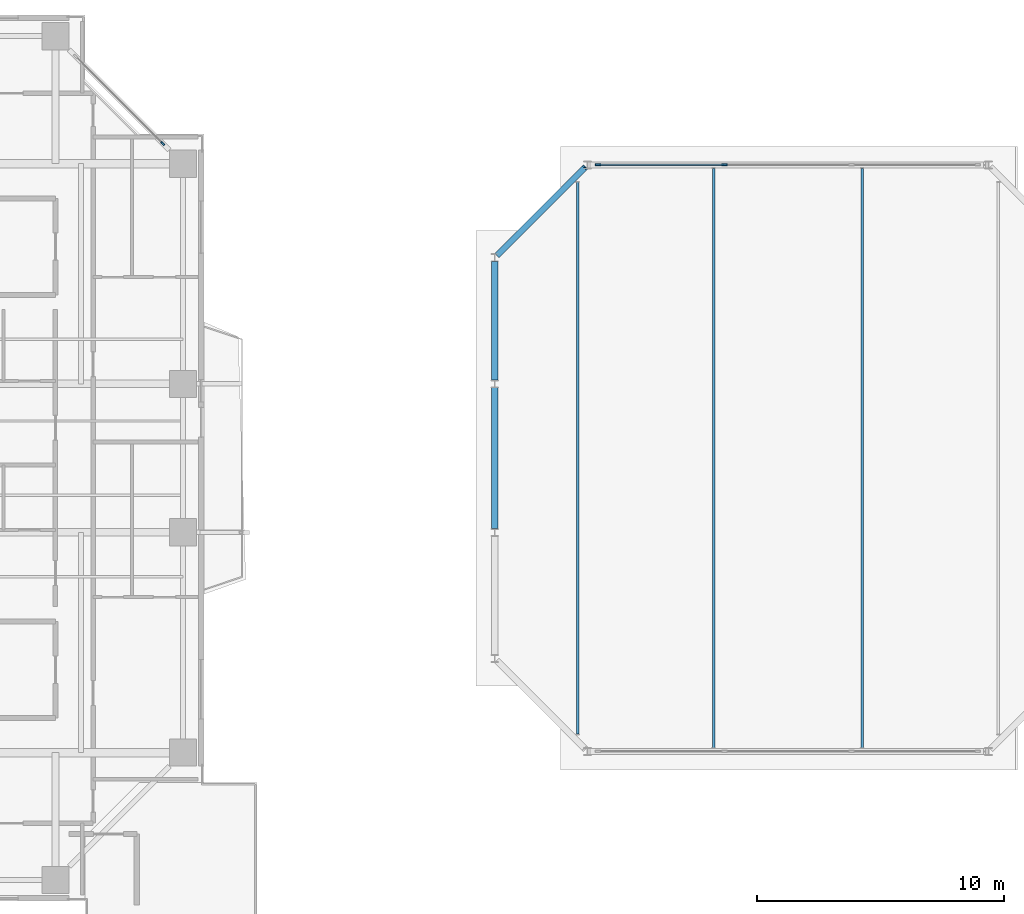
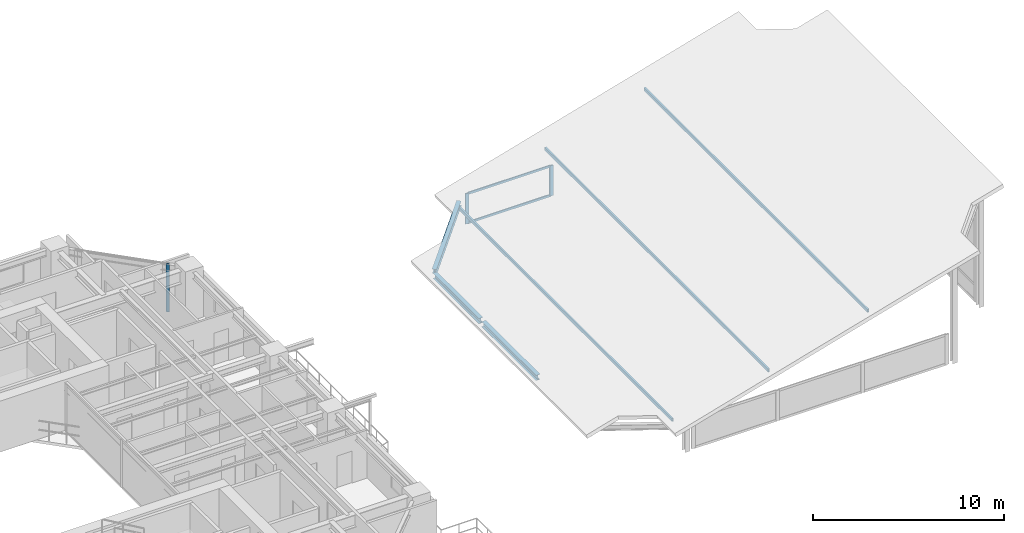
# One storey, part 12 of 28: 8 members, 3 beams, 2 elements without a shape of their own.
"""IFC4 building model written with IfcOpenShell, lengths in metres."""

from ifc_helpers import new_model, si_unit, direction, frame, origin, origin_2d, place, context, subcontext, project, spatial, rectangle, hollow_rectangle, i_section, extrude, source, transform, mapped, material, layer, layer_set, material_profile, profile_set, type_object, element, aggregate, save


model = new_model("IFC4")

# Units and contexts
model_context = context("Model", 3, precision=1e-05, world=origin(), true_north=direction((0.0, 1.0)))
body_context = subcontext(model_context, "Body", "Model", "MODEL_VIEW")
ifc_project = project(units=[si_unit("LENGTHUNIT", "METRE"), si_unit("AREAUNIT", "SQUARE_METRE"), si_unit("VOLUMEUNIT", "CUBIC_METRE"), si_unit("PLANEANGLEUNIT", "RADIAN"), si_unit("MASSUNIT", "GRAM", prefix="KILO"), si_unit("THERMODYNAMICTEMPERATUREUNIT", "KELVIN"), si_unit("POWERUNIT", "WATT")], contexts=[model_context])

# Site, building, storey
site_placement = place(None, origin())
site = spatial("IfcSite", under=ifc_project, at=site_placement, CompositionType="ELEMENT")
building_placement = place(site_placement, origin())
building = spatial("IfcBuilding", under=site, at=building_placement, Name="Qiaomeng Ring Towers", CompositionType="ELEMENT")
storey_placement = place(building_placement, frame((0.0, 0.0, 113.25)))
storey = spatial("IfcBuildingStorey", under=building, at=storey_placement, Name="L32", CompositionType="ELEMENT", Elevation=113.25)

# Beams
ifc_material_1 = material(Name="Steel Q355B", Category="steel")
ifc_material_profile_1 = material_profile(ifc_material_1, i_section(OverallWidth=0.25, OverallDepth=0.340087890625, WebThickness=0.009033203125, FlangeThickness=0.013916015625, FilletRadius=0.02001953125, at=origin_2d()), Name="HM 340x250x9x14")
ifc_profile_set_1 = profile_set([ifc_material_profile_1], Name="Steel Q355B")
beam_type = type_object("IfcBeamType", Name="STR-BM-HM340", PredefinedType="SPANDREL", material=ifc_profile_set_1)
shared_shape_1 = source(origin(), body_context, "Body", "SweptSolid", [
    extrude(i_section(OverallWidth=0.25, OverallDepth=0.340087890625, WebThickness=0.009033203125, FlangeThickness=0.013916015625, FilletRadius=0.02001953125, at=origin_2d()), origin(), (0.0, 0.0, 1.0), 5.10498046875),
])
beam_1_placement = place(storey_placement, frame((52.2939453125, 34.743896484375, 1.56982421875), z_axis=(-0.693006531025, -0.693006531025, -0.198705550784), x_axis=(0.707106781187, -0.707106781187, 0.0)))
element("IfcBeam", 1, at=beam_1_placement, inside=storey, type_object=beam_type, Name="Companion Crown Cap Beam 6", PredefinedType="SPANDREL", context=body_context, shape_type="MappedRepresentation", body=[
    mapped(shared_shape_1, transform((0.0, 0.0, 0.0), x_axis=(1.0, 0.0, 0.0), y_axis=(0.0, 1.0, 0.0), z_axis=(0.0, 0.0, 1.0), scale=1.0)),
])
shared_shape_2 = source(origin(), body_context, "Body", "SweptSolid", [
    extrude(i_section(OverallWidth=0.25, OverallDepth=0.340087890625, WebThickness=0.009033203125, FlangeThickness=0.013916015625, FilletRadius=0.02001953125, at=origin_2d()), origin(), (0.0, 0.0, 1.0), 4.800048828125),
])
beam_2_placement = place(storey_placement, frame((48.64990234375, 30.949951171875, 0.525146484375), z_axis=(0.0, -1.0, 0.0), x_axis=(1.0, 0.0, 0.0)))
element("IfcBeam", 2, at=beam_2_placement, inside=storey, type_object=beam_type, Name="Companion Crown Cap Beam 7", PredefinedType="SPANDREL", context=body_context, shape_type="MappedRepresentation", body=[
    mapped(shared_shape_2, transform((0.0, 0.0, 0.0), x_axis=(1.0, 0.0, 0.0), y_axis=(0.0, 1.0, 0.0), z_axis=(0.0, 0.0, 1.0), scale=1.0)),
])
shared_shape_3 = source(origin(), body_context, "Body", "SweptSolid", [
    extrude(i_section(OverallWidth=0.25, OverallDepth=0.340087890625, WebThickness=0.009033203125, FlangeThickness=0.013916015625, FilletRadius=0.02001953125, at=origin_2d()), origin(), (0.0, 0.0, 1.0), 5.7001953125),
])
beam_3_placement = place(storey_placement, frame((48.64990234375, 25.85009765625, 0.525146484375), z_axis=(0.0, -1.0, 0.0), x_axis=(1.0, 0.0, 0.0)))
element("IfcBeam", 3, at=beam_3_placement, inside=storey, type_object=beam_type, Name="Companion Crown Cap Beam 8", PredefinedType="SPANDREL", context=body_context, shape_type="MappedRepresentation", body=[
    mapped(shared_shape_3, transform((0.0, 0.0, 0.0), x_axis=(1.0, 0.0, 0.0), y_axis=(0.0, 1.0, 0.0), z_axis=(0.0, 0.0, 1.0), scale=1.0)),
])

# Members
ifc_material_profile_2 = material_profile(ifc_material_1, hollow_rectangle(XDim=0.10009765625, YDim=0.199951171875, WallThickness=0.008056640625, at=origin_2d()), Name="RHS 200x100x8")
ifc_profile_set_2 = profile_set([ifc_material_profile_2], Name="Steel Q355B")
member_type_1 = type_object("IfcMemberType", Name="STR-MB-PURLIN-200", PredefinedType="PURLIN", material=ifc_profile_set_2)
shared_shape_4 = source(origin(), body_context, "Body", "SweptSolid", [
    extrude(hollow_rectangle(XDim=0.10009765625, YDim=0.199951171875, WallThickness=0.008056640625, at=origin_2d()), origin(), (0.0, 0.0, 1.0), 22.2998046875),
])
member_1_placement = place(storey_placement, frame((52.0, 11.85009765625, 1.665771484375), z_axis=(0.0, 1.0, 0.0), x_axis=(-1.0, 0.0, 0.0)))
element("IfcMember", 4, at=member_1_placement, inside=storey, type_object=member_type_1, Name="Companion Crown Roof Purlin 1", PredefinedType="PURLIN", context=body_context, shape_type="MappedRepresentation", body=[
    mapped(shared_shape_4, transform((0.0, 0.0, 0.0), x_axis=(1.0, 0.0, 0.0), y_axis=(0.0, 1.0, 0.0), z_axis=(0.0, 0.0, 1.0), scale=1.0)),
])
shared_shape_5 = source(origin(), body_context, "Body", "SweptSolid", [
    extrude(hollow_rectangle(XDim=0.10009765625, YDim=0.199951171875, WallThickness=0.008056640625, at=origin_2d()), origin(), (0.0, 0.0, 1.0), 23.41015625),
])
for number, where, z_axis, x_axis, name in (
    (5, (57.5, 11.294921875, 3.242919921875), (0.0, 1.0, 0.0), (-1.0, 0.0, 0.0), "Companion Crown Roof Purlin 2"),
    (6, (63.5, 11.294921875, 4.963134765625), (0.0, 1.0, 0.0), (-1.0, 0.0, 0.0), "Companion Crown Roof Purlin 3"),
):
    element("IfcMember", number, at=place(storey_placement, frame(where, z_axis=z_axis, x_axis=x_axis)), inside=storey, type_object=member_type_1, Name=name, PredefinedType="PURLIN", context=body_context, shape_type="MappedRepresentation", body=[
        mapped(shared_shape_5, transform((0.0, 0.0, 0.0), x_axis=(1.0, 0.0, 0.0), y_axis=(0.0, 1.0, 0.0), z_axis=(0.0, 0.0, 1.0), scale=1.0)),
    ])

# Curtain wall, member
ifc_material_2 = material(Name="Fluorocarbon dark-grey aluminium", Category="aluminium")
ifc_layer_1 = layer(ifc_material_2, 0.14990234375, Name="Fluorocarbon dark-grey aluminium")
ifc_layer_set_1 = layer_set([ifc_layer_1], Name="Fluorocarbon dark-grey aluminium")
curtain_wall_type_1 = type_object("IfcCurtainWallType", Name="ARC-CW-3", PredefinedType="NOTDEFINED", material=ifc_layer_set_1)
curtain_wall_1_placement = place(storey_placement, origin())
curtain_wall_1 = element("IfcCurtainWall", 7, at=curtain_wall_1_placement, inside=storey, type_object=curtain_wall_type_1, Name="L32 Curtain Wall CW3", PredefinedType="NOTDEFINED")
ifc_material_profile_3 = material_profile(ifc_material_2, rectangle(XDim=0.070068359375, YDim=0.179931640625, at=origin_2d()), Name="ALU MULL 70x180")
ifc_profile_set_3 = profile_set([ifc_material_profile_3], Name="Fluorocarbon dark-grey aluminium")
member_type_2 = type_object("IfcMemberType", Name="ARC-CWM-160", PredefinedType="MULLION", material=ifc_profile_set_3)
shared_shape_6 = source(origin(), body_context, "Body", "SweptSolid", [
    extrude(rectangle(XDim=0.070068359375, YDim=0.179931640625, at=origin_2d()), origin(), (0.0, 0.0, 1.0), 3.070068359375),
])
member_2_placement = place(storey_placement, frame((35.2353515625, 35.71484375, 0.0), z_axis=(0.0, 0.0, 1.0), x_axis=(-0.707106781187, -0.707106781187, 0.0)))
member_2 = element("IfcMember", 8, at=member_2_placement, type_object=member_type_2, Name="CW3 mullion 1", PredefinedType="MULLION", context=body_context, shape_type="MappedRepresentation", body=[
    mapped(shared_shape_6, transform((0.0, 0.0, 0.0), x_axis=(1.0, 0.0, 0.0), y_axis=(0.0, 1.0, 0.0), z_axis=(0.0, 0.0, 1.0), scale=1.0)),
])
aggregate(curtain_wall_1, [member_2])

# Curtain wall, members
ifc_layer_2 = layer(ifc_material_2, 0.169921875, Name="Fluorocarbon dark-grey aluminium")
ifc_layer_set_2 = layer_set([ifc_layer_2], Name="Fluorocarbon dark-grey aluminium")
curtain_wall_type_2 = type_object("IfcCurtainWallType", Name="ARC-CW-6", PredefinedType="NOTDEFINED", material=ifc_layer_set_2)
curtain_wall_2_placement = place(storey_placement, origin())
curtain_wall_2 = element("IfcCurtainWall", 9, at=curtain_wall_2_placement, inside=storey, type_object=curtain_wall_type_2, Name="L32 Curtain Wall CW6", PredefinedType="NOTDEFINED")
ifc_material_profile_4 = material_profile(ifc_material_2, rectangle(XDim=0.080078125, YDim=0.219970703125, at=origin_2d()), Name="ALU MULL 80x220")
ifc_profile_set_4 = profile_set([ifc_material_profile_4], Name="Fluorocarbon dark-grey aluminium")
member_type_3 = type_object("IfcMemberType", Name="ARC-CWM-180", PredefinedType="MULLION", material=ifc_profile_set_4)
shared_shape_7 = source(origin(), body_context, "Body", "SweptSolid", [
    extrude(rectangle(XDim=0.080078125, YDim=0.219970703125, at=origin_2d()), origin(), (0.0, 0.0, 1.0), 1.9404296875),
])
member_3_placement = place(storey_placement, frame((57.929931640625, 34.85009765625, 0.0), z_axis=(0.0, 0.0, 1.0), x_axis=(0.0, -1.0, 0.0)))
member_3 = element("IfcMember", 10, at=member_3_placement, type_object=member_type_3, Name="CW6 mullion 3", PredefinedType="MULLION", context=body_context, shape_type="MappedRepresentation", body=[
    mapped(shared_shape_7, transform((0.0, 0.0, 0.0), x_axis=(1.0, 0.0, 0.0), y_axis=(0.0, 1.0, 0.0), z_axis=(0.0, 0.0, 1.0), scale=1.0)),
])
member_4_placement = place(storey_placement, frame((52.830078125, 34.85009765625, 0.0), z_axis=(0.0, 0.0, 1.0), x_axis=(0.0, -1.0, 0.0)))
member_4 = element("IfcMember", 11, at=member_4_placement, type_object=member_type_3, Name="CW6 mullion 4", PredefinedType="MULLION", context=body_context, shape_type="MappedRepresentation", body=[
    mapped(shared_shape_7, transform((0.0, 0.0, 0.0), x_axis=(1.0, 0.0, 0.0), y_axis=(0.0, 1.0, 0.0), z_axis=(0.0, 0.0, 1.0), scale=1.0)),
])
ifc_material_profile_5 = material_profile(ifc_material_2, rectangle(XDim=0.070068359375, YDim=0.139892578125, at=origin_2d()), Name="ALU TRAN 70x140")
ifc_profile_set_5 = profile_set([ifc_material_profile_5], Name="Fluorocarbon dark-grey aluminium")
member_type_4 = type_object("IfcMemberType", Name="ARC-CWT-140", PredefinedType="USERDEFINED", material=ifc_profile_set_5)
shared_shape_8 = source(origin(), body_context, "Body", "SweptSolid", [
    extrude(rectangle(XDim=0.070068359375, YDim=0.139892578125, at=origin_2d()), origin(), (0.0, 0.0, 1.0), 5.019775390625),
])
member_5_placement = place(storey_placement, frame((57.889892578125, 34.85009765625, 0.034912109375), z_axis=(-1.0, 0.0, 0.0), x_axis=(0.0, -1.0, 0.0)))
member_5 = element("IfcMember", 12, at=member_5_placement, type_object=member_type_4, Name="CW6 transom 3.1", ObjectType="TRANSOM", PredefinedType="USERDEFINED", context=body_context, shape_type="MappedRepresentation", body=[
    mapped(shared_shape_8, transform((0.0, 0.0, 0.0), x_axis=(1.0, 0.0, 0.0), y_axis=(0.0, 1.0, 0.0), z_axis=(0.0, 0.0, 1.0), scale=1.0)),
])
member_6_placement = place(storey_placement, frame((57.889892578125, 34.85009765625, 1.905517578125), z_axis=(-1.0, 0.0, 0.0), x_axis=(0.0, -1.0, 0.0)))
member_6 = element("IfcMember", 13, at=member_6_placement, type_object=member_type_4, Name="CW6 transom 3.2", ObjectType="TRANSOM", PredefinedType="USERDEFINED", context=body_context, shape_type="MappedRepresentation", body=[
    mapped(shared_shape_8, transform((0.0, 0.0, 0.0), x_axis=(1.0, 0.0, 0.0), y_axis=(0.0, 1.0, 0.0), z_axis=(0.0, 0.0, 1.0), scale=1.0)),
])
aggregate(curtain_wall_2, [member_3, member_4, member_5, member_6])

save(model, "model.ifc")
